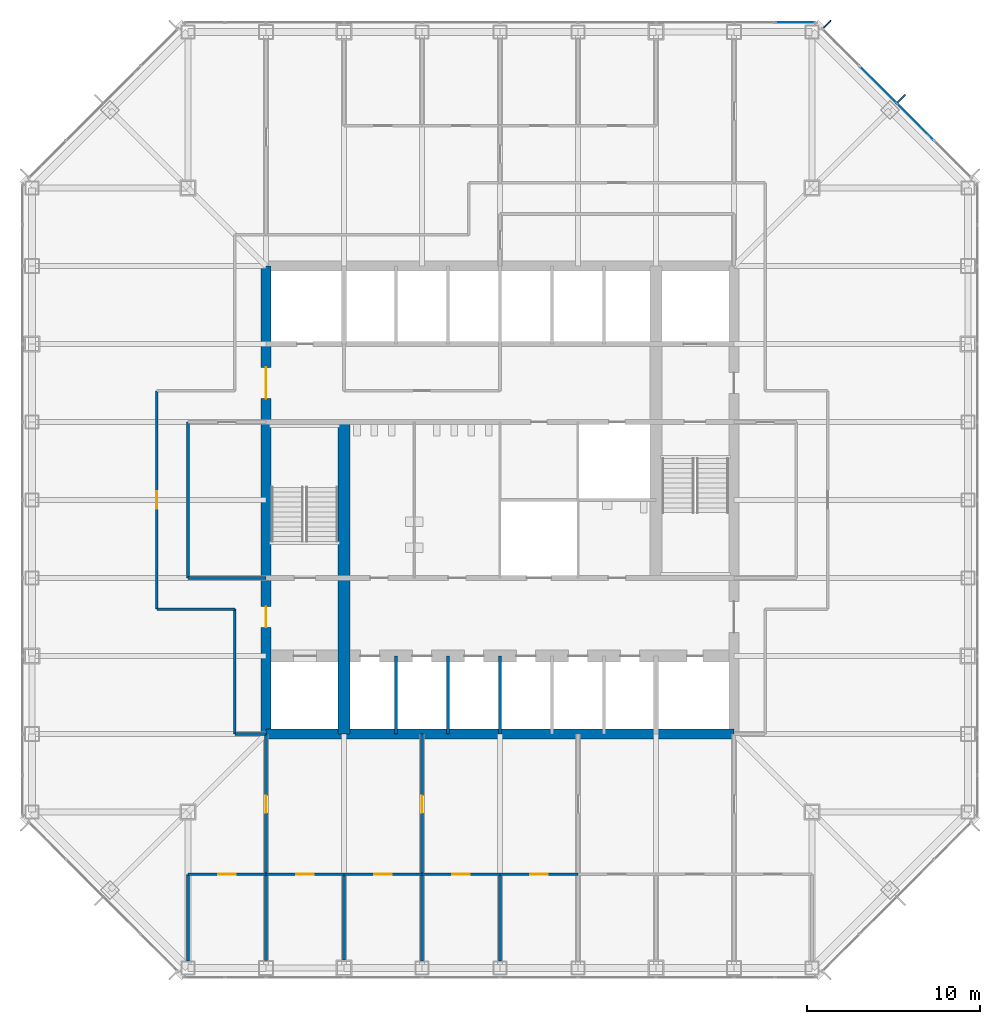
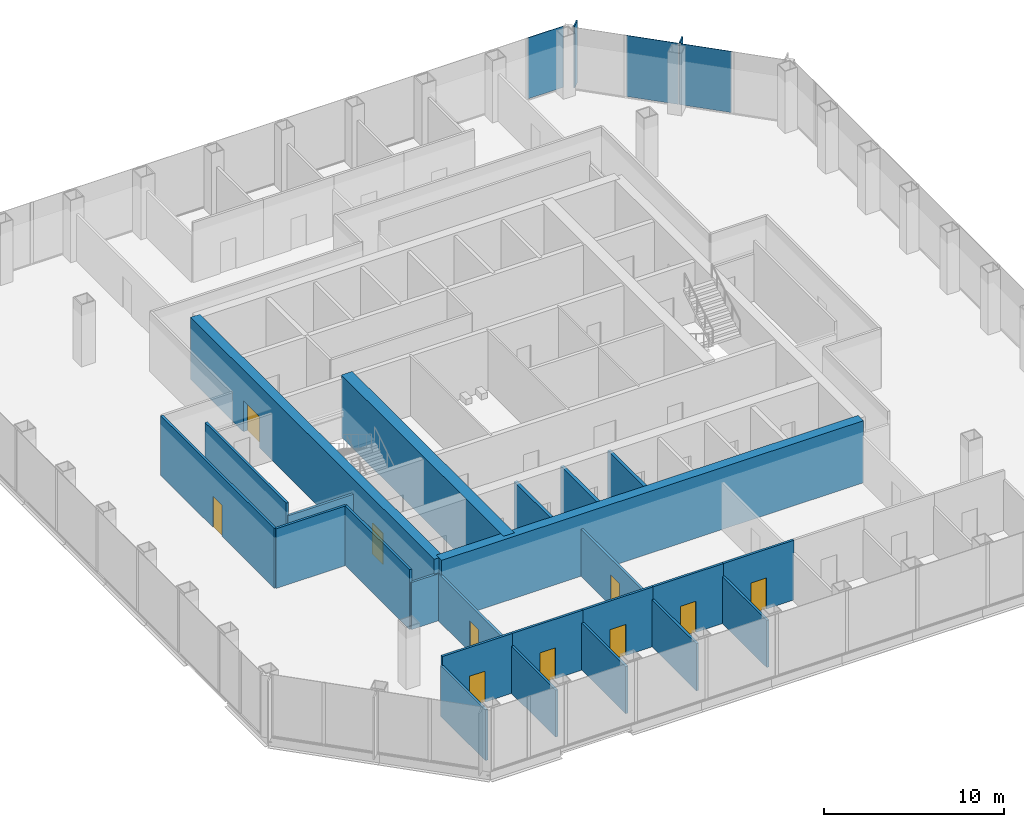
# One storey, part 8 of 13: 24 walls, 10 doors, 5 plates, 10 openings, 2 elements without a shape of their own.
"""IFC4 building model written with IfcOpenShell, lengths in metres."""

from ifc_helpers import new_model, si_unit, direction, frame, frame_2d, origin, origin_2d, place, context, subcontext, project, spatial, rectangle, extrude, material, layer, layer_set, type_object, element, fill, aggregate, save


model = new_model("IFC4")

# Units and contexts
model_context = context("Model", 3, precision=1e-05, world=origin(), true_north=direction((0.0, 1.0)))
body_context = subcontext(model_context, "Body", "Model", "MODEL_VIEW")
ifc_project = project(units=[si_unit("LENGTHUNIT", "METRE"), si_unit("AREAUNIT", "SQUARE_METRE"), si_unit("VOLUMEUNIT", "CUBIC_METRE"), si_unit("PLANEANGLEUNIT", "RADIAN"), si_unit("MASSUNIT", "GRAM", prefix="KILO")], contexts=[model_context])

# Site, building, storey
site_placement = place(None, origin())
site = spatial("IfcSite", under=ifc_project, at=site_placement, CompositionType="ELEMENT")
building_placement = place(site_placement, origin())
building = spatial("IfcBuilding", under=site, at=building_placement, Name="Corais Broadcast Tower", CompositionType="ELEMENT")
storey_placement = place(building_placement, frame((0.0, 0.0, 83.60009765625)))
storey = spatial("IfcBuildingStorey", under=building, at=storey_placement, Name="L18", CompositionType="ELEMENT", Elevation=83.60009765625)

# Curtain wall, plate
ifc_material_1 = material(Name="Aluminium and glass", Category="aluminium")
curtain_wall_type = type_object("IfcCurtainWallType", Name="Unitised fritted curtain wall CW1", PredefinedType="NOTDEFINED", material=ifc_material_1)
curtain_wall_1_placement = place(storey_placement, origin())
curtain_wall_1 = element("IfcCurtainWall", 1, at=curtain_wall_1_placement, inside=storey, type_object=curtain_wall_type, Name="CW1 curtain wall L18 5", PredefinedType="NOTDEFINED")
ifc_material_2 = material(Name="Ceramic-fritted laminated glass", Category="glass")
ifc_layer_1 = layer(ifc_material_2, 0.030029296875)
ifc_layer_set_1 = layer_set([ifc_layer_1], Name="Ceramic-fritted laminated glass")
plate_type_1 = type_object("IfcPlateType", Name="Fritted glass panel CW1", PredefinedType="CURTAIN_PANEL", material=ifc_layer_set_1)
plate_1_placement = place(storey_placement, frame((50.9658203125, 48.81201171875, 0.06494140625), z_axis=(0.0, 0.0, 1.0), x_axis=(0.707106781187, -0.707106781187, 0.0)))
plate_1 = element("IfcPlate", 2, at=plate_1_placement, type_object=plate_type_1, Name="CW1 panel 3", PredefinedType="CURTAIN_PANEL", context=body_context, shape_type="SweptSolid", body=[
    extrude(rectangle(XDim=2.98095703125, YDim=0.030029296875, at=origin_2d()), origin(), (0.0, 0.0, 1.0), 4.135009765625),
])

curtain_wall_2_placement = place(storey_placement, origin())
curtain_wall_2 = element("IfcCurtainWall", 3, at=curtain_wall_2_placement, inside=storey, type_object=curtain_wall_type, Name="CW1 curtain wall L18 4", PredefinedType="NOTDEFINED")
ifc_material_3 = material(Name="Clear laminated glass", Category="glass")
ifc_layer_2 = layer(ifc_material_3, 0.033935546875)
ifc_layer_set_2 = layer_set([ifc_layer_2], Name="Clear laminated glass")
plate_type_2 = type_object("IfcPlateType", Name="Operable glass panel CW1", PredefinedType="CURTAIN_PANEL", material=ifc_layer_set_2)
plate_2_placement = place(storey_placement, frame((44.029541015625, 54.550048828125, 0.06494140625), z_axis=(0.0, 0.0, 1.0), x_axis=(1.0, 0.0, 0.0)))
plate_2 = element("IfcPlate", 4, at=plate_2_placement, type_object=plate_type_2, Name="CW1 operable panel 10", PredefinedType="CURTAIN_PANEL", context=body_context, shape_type="SweptSolid", body=[
    extrude(rectangle(XDim=2.266357421875, YDim=0.033935546875, at=origin_2d()), origin(), (0.0, 0.0, 1.0), 4.135009765625),
])
aggregate(curtain_wall_2, [plate_2])

# Plate
plate_3_placement = place(storey_placement, frame((48.81201171875, 50.9658203125, 0.06494140625), z_axis=(0.0, 0.0, 1.0), x_axis=(0.707106781187, -0.707106781187, 0.0)))
plate_3 = element("IfcPlate", 5, at=plate_3_placement, type_object=plate_type_2, Name="CW1 operable panel 2", PredefinedType="CURTAIN_PANEL", context=body_context, shape_type="SweptSolid", body=[
    extrude(rectangle(XDim=2.98095703125, YDim=0.033935546875, at=origin_2d()), origin(), (0.0, 0.0, 1.0), 4.135009765625),
])

aggregate(curtain_wall_1, [plate_3, plate_1])

# Plates
ifc_material_4 = material(Name="Granite stone cladding", Category="masonry")
ifc_layer_3 = layer(ifc_material_4, 0.080078125)
ifc_layer_set_3 = layer_set([ifc_layer_3], Name="Granite stone cladding")
plate_type_3 = type_object("IfcPlateType", Name="Stone screen fin 80x600", PredefinedType="USERDEFINED", material=ifc_layer_set_3)
for number, where, z_axis, x_axis, name in (
    (6, (45.885009765625, 54.4541015625, 0.0), (0.0, 0.0, 1.0), (0.707106781187, -0.707106781187, 0.0), "SF1 stone screen fin L18"),
    (7, (50.169677734375, 50.169677734375, 0.0), (0.0, 0.0, 1.0), (0.707106781187, -0.707106781187, 0.0), "SF1 stone screen fin L18"),
):
    element("IfcPlate", number, at=place(storey_placement, frame(where, z_axis=z_axis, x_axis=x_axis)), inside=storey, type_object=plate_type_3, Name=name, ObjectType="STONE SCREEN FIN", PredefinedType="USERDEFINED", context=body_context, shape_type="SweptSolid", body=[
        extrude(rectangle(XDim=0.080078125, YDim=0.60009765625, at=origin_2d()), origin(), (0.0, 0.0, 1.0), 4.199951171875),
    ])

# Walls
ifc_material_5 = material(Name="Concrete C50/60", Category="concrete")
ifc_layer_4 = layer(ifc_material_5, 0.699951171875)
ifc_layer_set_4 = layer_set([ifc_layer_4], Name="Concrete C50/60")
wall_type_1 = type_object("IfcWallType", Name="Core spine wall 700", PredefinedType="SHEAR", material=ifc_layer_set_4)
wall_1_placement = place(storey_placement, frame((18.0, 13.5, 0.0), z_axis=(0.0, 0.0, 1.0), x_axis=(0.0, 1.0, 0.0)))
element("IfcWall", 8, at=wall_1_placement, inside=storey, type_object=wall_type_1, Name="CR700 core wall X18A L18", PredefinedType="SHEAR", context=body_context, shape_type="SweptSolid", body=[
    extrude(rectangle(XDim=18.0, YDim=0.699951171875, at=frame_2d((9.0, 0.0))), origin(), (0.0, 0.0, 1.0), 4.199951171875),
])
ifc_material_6 = material(Name="Concrete C50/60", Category="concrete")
ifc_layer_5 = layer(ifc_material_6, 0.60009765625)
ifc_layer_set_5 = layer_set([ifc_layer_5], Name="Concrete C50/60")
wall_type_2 = type_object("IfcWallType", Name="Core wall 600", PredefinedType="SHEAR", material=ifc_layer_set_5)
wall_2_placement = place(storey_placement, frame((13.5, 13.5, 0.0), z_axis=(0.0, 0.0, 1.0), x_axis=(1.0, 0.0, 0.0)))
element("IfcWall", 9, at=wall_2_placement, inside=storey, type_object=wall_type_2, Name="CR600 core wall S L18", PredefinedType="SHEAR", context=body_context, shape_type="SweptSolid", body=[
    extrude(rectangle(XDim=27.0, YDim=0.60009765625, at=frame_2d((13.5, 0.0))), origin(), (0.0, 0.0, 1.0), 4.199951171875),
])

# Wall, openings, doors
wall_3_placement = place(storey_placement, frame((13.5, 40.5, 0.0), z_axis=(0.0, 0.0, 1.0), x_axis=(0.0, -1.0, 0.0)))
wall_3 = element("IfcWall", 10, at=wall_3_placement, inside=storey, type_object=wall_type_2, Name="CR600 core wall W L18", PredefinedType="SHEAR", context=body_context, shape_type="SweptSolid", body=[
    extrude(rectangle(XDim=27.0, YDim=0.60009765625, at=frame_2d((13.5, 0.0))), origin(), (0.0, 0.0, 1.0), 4.199951171875),
])
opening_1_placement = place(wall_3_placement, frame((19.64990234375, 0.0, 0.0)))
opening_1 = element("IfcOpeningElement", 11, at=opening_1_placement, cuts=wall_3, Name="Opening FD1", PredefinedType="OPENING", context=body_context, shape_type="SweptSolid", body=[
    extrude(rectangle(XDim=1.199951171875, YDim=2.10009765625, at=frame_2d((0.60009765625, 1.050048828125))), frame((0.0, 0.31005859375, 0.0), z_axis=(0.0, -1.0, 0.0), x_axis=(1.0, 0.0, 0.0)), (0.0, 0.0, 1.0), 0.6201171875),
])
opening_2_placement = place(wall_3_placement, frame((5.85009765625, 0.0, 0.0)))
opening_2 = element("IfcOpeningElement", 12, at=opening_2_placement, cuts=wall_3, Name="Opening FD2", PredefinedType="OPENING", context=body_context, shape_type="SweptSolid", body=[
    extrude(rectangle(XDim=1.800048828125, YDim=2.10009765625, at=frame_2d((0.89990234375, 1.050048828125))), frame((0.0, 0.31005859375, 0.0), z_axis=(0.0, -1.0, 0.0), x_axis=(1.0, 0.0, 0.0)), (0.0, 0.0, 1.0), 0.6201171875),
])
ifc_material_7 = material(Name="Steel fire door", Category="steel")
door_type_1 = type_object("IfcDoorType", Name="Fire door 1200x2100", OperationType="SINGLE_SWING_LEFT", PredefinedType="DOOR", material=ifc_material_7)
door_1_placement = place(opening_1_placement, origin())
door_1 = element("IfcDoor", 13, at=door_1_placement, inside=storey, type_object=door_type_1, Name="FD1 fire lobby A door L18", OperationType="SINGLE_SWING_RIGHT", OverallHeight=2.10009765625, OverallWidth=1.199951171875, PredefinedType="DOOR", context=body_context, shape_type="SweptSolid", body=[
    extrude(rectangle(XDim=1.199951171875, YDim=2.10009765625, at=frame_2d((0.60009765625, 1.050048828125))), frame((0.0, 0.02490234375, 0.0), z_axis=(0.0, -1.0, 0.0), x_axis=(1.0, 0.0, 0.0)), (0.0, 0.0, 1.0), 0.050048828125),
])
fill(opening_1, door_1)
ifc_material_8 = material(Name="Steel fire door", Category="steel")
door_type_2 = type_object("IfcDoorType", Name="Fire door pair 1800x2100", OperationType="DOUBLE_DOOR_SINGLE_SWING", PredefinedType="DOOR", material=ifc_material_8)
door_2_placement = place(opening_2_placement, origin())
door_2 = element("IfcDoor", 14, at=door_2_placement, inside=storey, type_object=door_type_2, Name="FD2 lift lobby door L18", OperationType="SINGLE_SWING_LEFT", OverallHeight=2.10009765625, OverallWidth=1.800048828125, PredefinedType="DOOR", context=body_context, shape_type="SweptSolid", body=[
    extrude(rectangle(XDim=1.800048828125, YDim=2.10009765625, at=frame_2d((0.89990234375, 1.050048828125))), frame((0.0, 0.02490234375, 0.0), z_axis=(0.0, -1.0, 0.0), x_axis=(1.0, 0.0, 0.0)), (0.0, 0.0, 1.0), 0.050048828125),
])
fill(opening_2, door_2)

# Wall, opening, door
ifc_material_9 = material(Name="Gypsum board on steel studs", Category="steel")
ifc_layer_6 = layer(ifc_material_9, 0.14990234375)
ifc_layer_set_6 = layer_set([ifc_layer_6], Name="Gypsum board on steel studs")
wall_type_3 = type_object("IfcWallType", Name="Partition 150", PredefinedType="PARTITIONING", material=ifc_layer_set_6)
wall_4_placement = place(storey_placement, frame((7.199951171875, 33.300048828125, 0.0), z_axis=(0.0, 0.0, 1.0), x_axis=(0.0, -1.0, 0.0)))
wall_4 = element("IfcWall", 15, at=wall_4_placement, inside=storey, type_object=wall_type_3, Name="IW3 corridor wall L18", PredefinedType="PARTITIONING", context=body_context, shape_type="SweptSolid", body=[
    extrude(rectangle(XDim=12.60009765625, YDim=0.14990234375, at=frame_2d((6.300048828125, 0.0))), origin(), (0.0, 0.0, 1.0), 4.039794921875),
])
opening_3_placement = place(wall_4_placement, frame((5.800048828125, 0.0, 0.0)))
opening_3 = element("IfcOpeningElement", 16, at=opening_3_placement, cuts=wall_4, Name="Opening D1", PredefinedType="OPENING", context=body_context, shape_type="SweptSolid", body=[
    extrude(rectangle(XDim=1.0, YDim=2.10009765625, at=frame_2d((0.5, 1.050048828125))), frame((0.0, 0.0849609375, 0.0), z_axis=(0.0, -1.0, 0.0), x_axis=(1.0, 0.0, 0.0)), (0.0, 0.0, 1.0), 0.169921875),
])
ifc_material_10 = material(Name="Timber door", Category="wood")
door_type_3 = type_object("IfcDoorType", Name="Single door 1000x2100", OperationType="SINGLE_SWING_LEFT", PredefinedType="DOOR", material=ifc_material_10)
door_3_placement = place(opening_3_placement, origin())
door_3 = element("IfcDoor", 17, at=door_3_placement, inside=storey, type_object=door_type_3, Name="D1 workplace door L18", OperationType="SINGLE_SWING_LEFT", OverallHeight=2.10009765625, OverallWidth=1.0, PredefinedType="DOOR", context=body_context, shape_type="SweptSolid", body=[
    extrude(rectangle(XDim=1.0, YDim=2.10009765625, at=frame_2d((0.5, 1.050048828125))), frame((0.0, 0.02490234375, 0.0), z_axis=(0.0, -1.0, 0.0), x_axis=(1.0, 0.0, 0.0)), (0.0, 0.0, 1.0), 0.050048828125),
])
fill(opening_3, door_3)

# Walls
wall_5_placement = place(storey_placement, frame((11.699951171875, 20.699951171875, 0.0), z_axis=(0.0, 0.0, 1.0), x_axis=(0.0, -1.0, 0.0)))
element("IfcWall", 18, at=wall_5_placement, inside=storey, type_object=wall_type_3, Name="IW3 corridor wall L18", PredefinedType="PARTITIONING", context=body_context, shape_type="SweptSolid", body=[
    extrude(rectangle(XDim=7.199951171875, YDim=0.14990234375, at=frame_2d((3.60009765625, 0.0))), origin(), (0.0, 0.0, 1.0), 4.039794921875),
])
wall_6_placement = place(storey_placement, frame((7.199951171875, 20.699951171875, 0.0), z_axis=(0.0, 0.0, 1.0), x_axis=(1.0, 0.0, 0.0)))
element("IfcWall", 19, at=wall_6_placement, inside=storey, type_object=wall_type_3, Name="IW3 corridor wall L18", PredefinedType="PARTITIONING", context=body_context, shape_type="SweptSolid", body=[
    extrude(rectangle(XDim=4.5, YDim=0.14990234375, at=frame_2d((2.25, 0.0))), origin(), (0.0, 0.0, 1.0), 4.039794921875),
])
wall_7_placement = place(storey_placement, frame((11.699951171875, 13.5, 0.0), z_axis=(0.0, 0.0, 1.0), x_axis=(1.0, 0.0, 0.0)))
element("IfcWall", 20, at=wall_7_placement, inside=storey, type_object=wall_type_3, Name="IW3 corridor wall L18", PredefinedType="PARTITIONING", context=body_context, shape_type="SweptSolid", body=[
    extrude(rectangle(XDim=1.81005859375, YDim=0.14990234375, at=frame_2d((0.905029296875, 0.0))), origin(), (0.0, 0.0, 1.0), 3.18896484375),
])
wall_8_placement = place(storey_placement, frame((13.5, 0.43505859375, 0.0), z_axis=(0.0, 0.0, 1.0), x_axis=(0.0, 1.0, 0.0)))
element("IfcWall", 21, at=wall_8_placement, inside=storey, type_object=wall_type_3, Name="IW3 partition L18", PredefinedType="PARTITIONING", context=body_context, shape_type="SweptSolid", body=[
    extrude(rectangle(XDim=4.96484375, YDim=0.14990234375, at=frame_2d((2.482421875, 0.0))), origin(), (0.0, 0.0, 1.0), 3.18896484375),
])

# Wall, opening, door
wall_9_placement = place(storey_placement, frame((13.5, 5.39990234375, 0.0), z_axis=(0.0, 0.0, 1.0), x_axis=(-1.0, 0.0, 0.0)))
wall_9 = element("IfcWall", 22, at=wall_9_placement, inside=storey, type_object=wall_type_3, Name="IW3 partition L18", PredefinedType="PARTITIONING", context=body_context, shape_type="SweptSolid", body=[
    extrude(rectangle(XDim=4.5, YDim=0.14990234375, at=frame_2d((2.25, 0.0))), origin(), (0.0, 0.0, 1.0), 4.039794921875),
])
opening_4_placement = place(wall_9_placement, frame((1.75, 0.0, 0.0)))
opening_4 = element("IfcOpeningElement", 23, at=opening_4_placement, cuts=wall_9, Name="Opening D1", PredefinedType="OPENING", context=body_context, shape_type="SweptSolid", body=[
    extrude(rectangle(XDim=1.0, YDim=2.10009765625, at=frame_2d((0.5, 1.050048828125))), frame((0.0, 0.0849609375, 0.0), z_axis=(0.0, -1.0, 0.0), x_axis=(1.0, 0.0, 0.0)), (0.0, 0.0, 1.0), 0.169921875),
])
door_4_placement = place(opening_4_placement, origin())
door_4 = element("IfcDoor", 24, at=door_4_placement, inside=storey, type_object=door_type_3, Name="D1 Office door", OperationType="SINGLE_SWING_LEFT", OverallHeight=2.10009765625, OverallWidth=1.0, PredefinedType="DOOR", context=body_context, shape_type="SweptSolid", body=[
    extrude(rectangle(XDim=1.0, YDim=2.10009765625, at=frame_2d((0.5, 1.050048828125))), frame((0.0, 0.02490234375, 0.0), z_axis=(0.0, -1.0, 0.0), x_axis=(1.0, 0.0, 0.0)), (0.0, 0.0, 1.0), 0.050048828125),
])
fill(opening_4, door_4)

# Walls
wall_10_placement = place(storey_placement, frame((9.0, 5.39990234375, 0.0), z_axis=(0.0, 0.0, 1.0), x_axis=(0.0, -1.0, 0.0)))
element("IfcWall", 25, at=wall_10_placement, inside=storey, type_object=wall_type_3, Name="IW3 partition L18", PredefinedType="PARTITIONING", context=body_context, shape_type="SweptSolid", body=[
    extrude(rectangle(XDim=4.989990234375, YDim=0.14990234375, at=frame_2d((2.4951171875, 0.0))), origin(), (0.0, 0.0, 1.0), 3.428955078125),
])
wall_11_placement = place(storey_placement, frame((18.0, 0.4599609375, 0.0), z_axis=(0.0, 0.0, 1.0), x_axis=(0.0, 1.0, 0.0)))
element("IfcWall", 26, at=wall_11_placement, inside=storey, type_object=wall_type_3, Name="IW3 partition L18", PredefinedType="PARTITIONING", context=body_context, shape_type="SweptSolid", body=[
    extrude(rectangle(XDim=4.93994140625, YDim=0.14990234375, at=frame_2d((2.469970703125, 0.0))), origin(), (0.0, 0.0, 1.0), 3.18896484375),
])

# Wall, opening, door
wall_12_placement = place(storey_placement, frame((18.0, 5.39990234375, 0.0), z_axis=(0.0, 0.0, 1.0), x_axis=(-1.0, 0.0, 0.0)))
wall_12 = element("IfcWall", 27, at=wall_12_placement, inside=storey, type_object=wall_type_3, Name="IW3 partition L18", PredefinedType="PARTITIONING", context=body_context, shape_type="SweptSolid", body=[
    extrude(rectangle(XDim=4.5, YDim=0.14990234375, at=frame_2d((2.25, 0.0))), origin(), (0.0, 0.0, 1.0), 4.039794921875),
])
opening_5_placement = place(wall_12_placement, frame((1.75, 0.0, 0.0)))
opening_5 = element("IfcOpeningElement", 28, at=opening_5_placement, cuts=wall_12, Name="Opening D1", PredefinedType="OPENING", context=body_context, shape_type="SweptSolid", body=[
    extrude(rectangle(XDim=1.0, YDim=2.10009765625, at=frame_2d((0.5, 1.050048828125))), frame((0.0, 0.0849609375, 0.0), z_axis=(0.0, -1.0, 0.0), x_axis=(1.0, 0.0, 0.0)), (0.0, 0.0, 1.0), 0.169921875),
])
door_5_placement = place(opening_5_placement, origin())
door_5 = element("IfcDoor", 29, at=door_5_placement, inside=storey, type_object=door_type_3, Name="D1 Office door", OperationType="SINGLE_SWING_LEFT", OverallHeight=2.10009765625, OverallWidth=1.0, PredefinedType="DOOR", context=body_context, shape_type="SweptSolid", body=[
    extrude(rectangle(XDim=1.0, YDim=2.10009765625, at=frame_2d((0.5, 1.050048828125))), frame((0.0, 0.02490234375, 0.0), z_axis=(0.0, -1.0, 0.0), x_axis=(1.0, 0.0, 0.0)), (0.0, 0.0, 1.0), 0.050048828125),
])
fill(opening_5, door_5)

# Wall
wall_13_placement = place(storey_placement, frame((22.5, 0.409912109375, 0.0), z_axis=(0.0, 0.0, 1.0), x_axis=(0.0, 1.0, 0.0)))
element("IfcWall", 30, at=wall_13_placement, inside=storey, type_object=wall_type_3, Name="IW3 partition L18", PredefinedType="PARTITIONING", context=body_context, shape_type="SweptSolid", body=[
    extrude(rectangle(XDim=4.989990234375, YDim=0.14990234375, at=frame_2d((2.4951171875, 0.0))), origin(), (0.0, 0.0, 1.0), 3.18896484375),
])

# Wall, opening, door
wall_14_placement = place(storey_placement, frame((22.5, 5.39990234375, 0.0), z_axis=(0.0, 0.0, 1.0), x_axis=(-1.0, 0.0, 0.0)))
wall_14 = element("IfcWall", 31, at=wall_14_placement, inside=storey, type_object=wall_type_3, Name="IW3 partition L18", PredefinedType="PARTITIONING", context=body_context, shape_type="SweptSolid", body=[
    extrude(rectangle(XDim=4.5, YDim=0.14990234375, at=frame_2d((2.25, 0.0))), origin(), (0.0, 0.0, 1.0), 4.039794921875),
])
opening_6_placement = place(wall_14_placement, frame((1.75, 0.0, 0.0)))
opening_6 = element("IfcOpeningElement", 32, at=opening_6_placement, cuts=wall_14, Name="Opening D1", PredefinedType="OPENING", context=body_context, shape_type="SweptSolid", body=[
    extrude(rectangle(XDim=1.0, YDim=2.10009765625, at=frame_2d((0.5, 1.050048828125))), frame((0.0, 0.0849609375, 0.0), z_axis=(0.0, -1.0, 0.0), x_axis=(1.0, 0.0, 0.0)), (0.0, 0.0, 1.0), 0.169921875),
])
door_6_placement = place(opening_6_placement, origin())
door_6 = element("IfcDoor", 33, at=door_6_placement, inside=storey, type_object=door_type_3, Name="D1 Office door", OperationType="SINGLE_SWING_LEFT", OverallHeight=2.10009765625, OverallWidth=1.0, PredefinedType="DOOR", context=body_context, shape_type="SweptSolid", body=[
    extrude(rectangle(XDim=1.0, YDim=2.10009765625, at=frame_2d((0.5, 1.050048828125))), frame((0.0, 0.02490234375, 0.0), z_axis=(0.0, -1.0, 0.0), x_axis=(1.0, 0.0, 0.0)), (0.0, 0.0, 1.0), 0.050048828125),
])
fill(opening_6, door_6)

# Wall
wall_15_placement = place(storey_placement, frame((27.0, 0.409912109375, 0.0), z_axis=(0.0, 0.0, 1.0), x_axis=(0.0, 1.0, 0.0)))
element("IfcWall", 34, at=wall_15_placement, inside=storey, type_object=wall_type_3, Name="IW3 partition L18", PredefinedType="PARTITIONING", context=body_context, shape_type="SweptSolid", body=[
    extrude(rectangle(XDim=4.989990234375, YDim=0.14990234375, at=frame_2d((2.4951171875, 0.0))), origin(), (0.0, 0.0, 1.0), 3.18896484375),
])

# Wall, opening, door
wall_16_placement = place(storey_placement, frame((27.0, 5.39990234375, 0.0), z_axis=(0.0, 0.0, 1.0), x_axis=(-1.0, 0.0, 0.0)))
wall_16 = element("IfcWall", 35, at=wall_16_placement, inside=storey, type_object=wall_type_3, Name="IW3 partition L18", PredefinedType="PARTITIONING", context=body_context, shape_type="SweptSolid", body=[
    extrude(rectangle(XDim=4.5, YDim=0.14990234375, at=frame_2d((2.25, 0.0))), origin(), (0.0, 0.0, 1.0), 4.039794921875),
])
opening_7_placement = place(wall_16_placement, frame((1.75, 0.0, 0.0)))
opening_7 = element("IfcOpeningElement", 36, at=opening_7_placement, cuts=wall_16, Name="Opening D1", PredefinedType="OPENING", context=body_context, shape_type="SweptSolid", body=[
    extrude(rectangle(XDim=1.0, YDim=2.10009765625, at=frame_2d((0.5, 1.050048828125))), frame((0.0, 0.0849609375, 0.0), z_axis=(0.0, -1.0, 0.0), x_axis=(1.0, 0.0, 0.0)), (0.0, 0.0, 1.0), 0.169921875),
])
door_7_placement = place(opening_7_placement, origin())
door_7 = element("IfcDoor", 37, at=door_7_placement, inside=storey, type_object=door_type_3, Name="D1 Office door", OperationType="SINGLE_SWING_LEFT", OverallHeight=2.10009765625, OverallWidth=1.0, PredefinedType="DOOR", context=body_context, shape_type="SweptSolid", body=[
    extrude(rectangle(XDim=1.0, YDim=2.10009765625, at=frame_2d((0.5, 1.050048828125))), frame((0.0, 0.02490234375, 0.0), z_axis=(0.0, -1.0, 0.0), x_axis=(1.0, 0.0, 0.0)), (0.0, 0.0, 1.0), 0.050048828125),
])
fill(opening_7, door_7)

wall_17_placement = place(storey_placement, frame((31.5, 5.39990234375, 0.0), z_axis=(0.0, 0.0, 1.0), x_axis=(-1.0, 0.0, 0.0)))
wall_17 = element("IfcWall", 38, at=wall_17_placement, inside=storey, type_object=wall_type_3, Name="IW3 partition L18", PredefinedType="PARTITIONING", context=body_context, shape_type="SweptSolid", body=[
    extrude(rectangle(XDim=4.5, YDim=0.14990234375, at=frame_2d((2.25, 0.0))), origin(), (0.0, 0.0, 1.0), 4.039794921875),
])
opening_8_placement = place(wall_17_placement, frame((1.75, 0.0, 0.0)))
opening_8 = element("IfcOpeningElement", 39, at=opening_8_placement, cuts=wall_17, Name="Opening D1", PredefinedType="OPENING", context=body_context, shape_type="SweptSolid", body=[
    extrude(rectangle(XDim=1.0, YDim=2.10009765625, at=frame_2d((0.5, 1.050048828125))), frame((0.0, 0.0849609375, 0.0), z_axis=(0.0, -1.0, 0.0), x_axis=(1.0, 0.0, 0.0)), (0.0, 0.0, 1.0), 0.169921875),
])
door_8_placement = place(opening_8_placement, origin())
door_8 = element("IfcDoor", 40, at=door_8_placement, inside=storey, type_object=door_type_3, Name="D1 Office door", OperationType="SINGLE_SWING_LEFT", OverallHeight=2.10009765625, OverallWidth=1.0, PredefinedType="DOOR", context=body_context, shape_type="SweptSolid", body=[
    extrude(rectangle(XDim=1.0, YDim=2.10009765625, at=frame_2d((0.5, 1.050048828125))), frame((0.0, 0.02490234375, 0.0), z_axis=(0.0, -1.0, 0.0), x_axis=(1.0, 0.0, 0.0)), (0.0, 0.0, 1.0), 0.050048828125),
])
fill(opening_8, door_8)

# Walls
wall_18_placement = place(storey_placement, frame((9.0, 22.5, 0.0), z_axis=(0.0, 0.0, 1.0), x_axis=(1.0, 0.0, 0.0)))
element("IfcWall", 41, at=wall_18_placement, inside=storey, type_object=wall_type_3, Name="IW3 partition L18", PredefinedType="PARTITIONING", context=body_context, shape_type="SweptSolid", body=[
    extrude(rectangle(XDim=4.5, YDim=0.14990234375, at=frame_2d((2.25, 0.0))), origin(), (0.0, 0.0, 1.0), 3.18896484375),
])
wall_19_placement = place(storey_placement, frame((9.0, 31.5, 0.0), z_axis=(0.0, 0.0, 1.0), x_axis=(0.0, -1.0, 0.0)))
element("IfcWall", 42, at=wall_19_placement, inside=storey, type_object=wall_type_3, Name="IW3 partition L18", PredefinedType="PARTITIONING", context=body_context, shape_type="SweptSolid", body=[
    extrude(rectangle(XDim=9.0, YDim=0.14990234375, at=frame_2d((4.5, 0.0))), origin(), (0.0, 0.0, 1.0), 4.039794921875),
])

# Wall, opening, door
wall_20_placement = place(storey_placement, frame((13.5, 5.39990234375, 0.0), z_axis=(0.0, 0.0, 1.0), x_axis=(0.0, 1.0, 0.0)))
wall_20 = element("IfcWall", 43, at=wall_20_placement, inside=storey, type_object=wall_type_3, Name="IW3 partition L18", PredefinedType="PARTITIONING", context=body_context, shape_type="SweptSolid", body=[
    extrude(rectangle(XDim=8.10009765625, YDim=0.14990234375, at=frame_2d((4.050048828125, 0.0))), origin(), (0.0, 0.0, 1.0), 3.18896484375),
])
opening_9_placement = place(wall_20_placement, frame((3.550048828125, 0.0, 0.0)))
opening_9 = element("IfcOpeningElement", 44, at=opening_9_placement, cuts=wall_20, Name="Opening D1", PredefinedType="OPENING", context=body_context, shape_type="SweptSolid", body=[
    extrude(rectangle(XDim=1.0, YDim=2.10009765625, at=frame_2d((0.5, 1.050048828125))), frame((0.0, 0.0849609375, 0.0), z_axis=(0.0, -1.0, 0.0), x_axis=(1.0, 0.0, 0.0)), (0.0, 0.0, 1.0), 0.169921875),
])
door_9_placement = place(opening_9_placement, origin())
door_9 = element("IfcDoor", 45, at=door_9_placement, inside=storey, type_object=door_type_3, Name="D1 team room door L18", OperationType="SINGLE_SWING_LEFT", OverallHeight=2.10009765625, OverallWidth=1.0, PredefinedType="DOOR", context=body_context, shape_type="SweptSolid", body=[
    extrude(rectangle(XDim=1.0, YDim=2.10009765625, at=frame_2d((0.5, 1.050048828125))), frame((0.0, 0.02490234375, 0.0), z_axis=(0.0, -1.0, 0.0), x_axis=(1.0, 0.0, 0.0)), (0.0, 0.0, 1.0), 0.050048828125),
])
fill(opening_9, door_9)

wall_21_placement = place(storey_placement, frame((22.5, 13.5, 0.0), z_axis=(0.0, 0.0, 1.0), x_axis=(0.0, -1.0, 0.0)))
wall_21 = element("IfcWall", 46, at=wall_21_placement, inside=storey, type_object=wall_type_3, Name="IW3 partition L18", PredefinedType="PARTITIONING", context=body_context, shape_type="SweptSolid", body=[
    extrude(rectangle(XDim=8.10009765625, YDim=0.14990234375, at=frame_2d((4.050048828125, 0.0))), origin(), (0.0, 0.0, 1.0), 3.18896484375),
])
opening_10_placement = place(wall_21_placement, frame((3.550048828125, 0.0, 0.0)))
opening_10 = element("IfcOpeningElement", 47, at=opening_10_placement, cuts=wall_21, Name="Opening D1", PredefinedType="OPENING", context=body_context, shape_type="SweptSolid", body=[
    extrude(rectangle(XDim=1.0, YDim=2.10009765625, at=frame_2d((0.5, 1.050048828125))), frame((0.0, 0.0849609375, 0.0), z_axis=(0.0, -1.0, 0.0), x_axis=(1.0, 0.0, 0.0)), (0.0, 0.0, 1.0), 0.169921875),
])
door_10_placement = place(opening_10_placement, origin())
door_10 = element("IfcDoor", 48, at=door_10_placement, inside=storey, type_object=door_type_3, Name="D1 team room door L18", OperationType="SINGLE_SWING_LEFT", OverallHeight=2.10009765625, OverallWidth=1.0, PredefinedType="DOOR", context=body_context, shape_type="SweptSolid", body=[
    extrude(rectangle(XDim=1.0, YDim=2.10009765625, at=frame_2d((0.5, 1.050048828125))), frame((0.0, 0.02490234375, 0.0), z_axis=(0.0, -1.0, 0.0), x_axis=(1.0, 0.0, 0.0)), (0.0, 0.0, 1.0), 0.050048828125),
])
fill(opening_10, door_10)

# Walls
ifc_material_11 = material(Name="Concrete blockwork class A, grouted, two-hour", Category="masonry")
ifc_layer_7 = layer(ifc_material_11, 0.199951171875)
ifc_layer_set_7 = layer_set([ifc_layer_7], Name="Concrete blockwork class A, grouted, two-hour")
wall_type_4 = type_object("IfcWallType", Name="Shaft wall 200", PredefinedType="PARTITIONING", material=ifc_layer_set_7)
for number, where, z_axis, x_axis, name in (
    (49, (21.0, 13.5, 0.0), (0.0, 0.0, 1.0), (0.0, 1.0, 0.0), "IW1 shaft wall L18"),
    (50, (24.0, 13.5, 0.0), (0.0, 0.0, 1.0), (0.0, 1.0, 0.0), "IW1 shaft wall L18"),
    (51, (27.0, 13.5, 0.0), (0.0, 0.0, 1.0), (0.0, 1.0, 0.0), "IW1 shaft wall L18"),
):
    element("IfcWall", number, at=place(storey_placement, frame(where, z_axis=z_axis, x_axis=x_axis)), inside=storey, type_object=wall_type_4, Name=name, PredefinedType="PARTITIONING", context=body_context, shape_type="SweptSolid", body=[
        extrude(rectangle(XDim=4.5, YDim=0.199951171875, at=frame_2d((2.25, 0.0))), origin(), (0.0, 0.0, 1.0), 4.039794921875),
    ])

save(model, "model.ifc")
